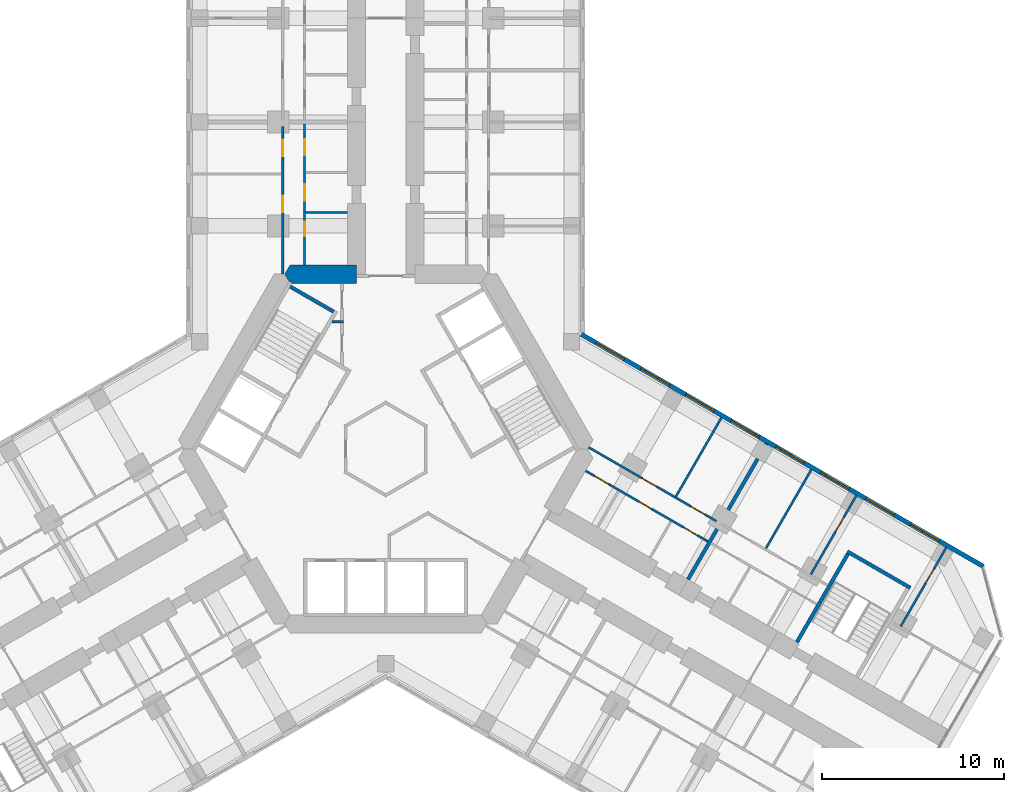
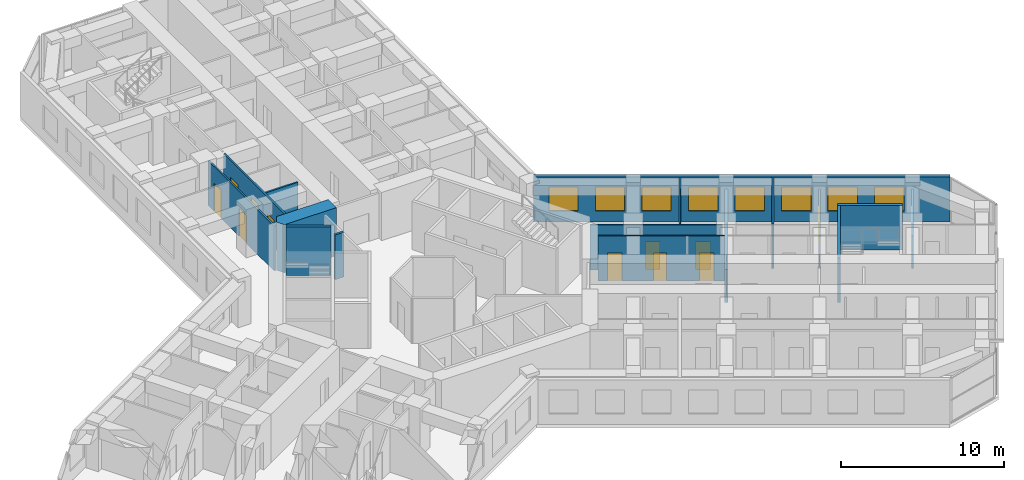
# One storey, part 16 of 21: 16 walls, 12 doors, 8 windows, 20 openings.
"""IFC4 building model written with IfcOpenShell, lengths in metres."""

from ifc_helpers import new_model, si_unit, direction, frame, frame_2d, origin, place, context, subcontext, project, spatial, polyline, rectangle, outline, extrude, material, layer, layer_set, type_object, element, fill, save


model = new_model("IFC4")

# Units and contexts
model_context = context("Model", 3, precision=1e-05, world=origin(), true_north=direction((0.0, 1.0)))
body_context = subcontext(model_context, "Body", "Model", "MODEL_VIEW")
ifc_project = project(units=[si_unit("LENGTHUNIT", "METRE"), si_unit("AREAUNIT", "SQUARE_METRE"), si_unit("VOLUMEUNIT", "CUBIC_METRE"), si_unit("PLANEANGLEUNIT", "RADIAN"), si_unit("MASSUNIT", "GRAM", prefix="KILO")], contexts=[model_context])

# Site, building, storey
site_placement = place(None, origin())
site = spatial("IfcSite", under=ifc_project, at=site_placement, CompositionType="ELEMENT")
building_placement = place(site_placement, origin())
building = spatial("IfcBuilding", under=site, at=building_placement, Name="Kosmar Iwan School Tower", CompositionType="ELEMENT")
storey_placement = place(building_placement, frame((0.0, 0.0, 88.0)))
storey = spatial("IfcBuildingStorey", under=building, at=storey_placement, Name="L21", CompositionType="ELEMENT", Elevation=88.0)

# Walls
ifc_material_1 = material(Name="Gypsum board on steel studs, fire-rated", Category="steel")
ifc_layer_1 = layer(ifc_material_1, 0.14990234375)
ifc_layer_set_1 = layer_set([ifc_layer_1], Name="Core room partition 150")
wall_type_1 = type_object("IfcWallType", Name="Core room partition 150", PredefinedType="PARTITIONING", material=ifc_layer_set_1)
wall_1_placement = place(storey_placement, frame((-2.324951171875, 6.985107421875, 0.0), z_axis=(0.0, 0.0, 1.0), x_axis=(-1.0, 0.0, 0.0)))
element("IfcWall", 1, at=wall_1_placement, inside=storey, type_object=wall_type_1, Name="Core room partition L21-CW2", PredefinedType="PARTITIONING", context=body_context, shape_type="SweptSolid", body=[
    extrude(rectangle(XDim=0.623779296875, YDim=0.14990234375, at=frame_2d((0.31201171875, 0.0))), origin(), (0.0, 0.0, 1.0), 3.35009765625),
])
ifc_material_2 = material(Name="Concrete C50/60", Category="concrete")
ifc_layer_2 = layer(ifc_material_2, 1.0)
ifc_layer_set_2 = layer_set([ifc_layer_2], Name="Core wall 1000")
wall_type_2 = type_object("IfcWallType", Name="Core wall 1000", PredefinedType="SHEAR", material=ifc_layer_set_2)
wall_2_placement = place(storey_placement, origin())
element("IfcWall", 2, at=wall_2_placement, inside=storey, type_object=wall_type_2, Name="Core wall F090b", PredefinedType="SHEAR", context=body_context, shape_type="SweptSolid", body=[
    extrude(outline(polyline([(-5.25390625, 9.10009765625), (-1.60009765625, 9.10009765625), (-1.60009765625, 10.10009765625), (-5.25390625, 10.10009765625), (-5.54248046875, 9.60009765625), (-5.25390625, 9.10009765625)])), origin(), (0.0, 0.0, 1.0), 3.60009765625),
])

# Wall, openings, doors
ifc_material_3 = material(Name="Gypsum board on steel studs", Category="steel")
ifc_layer_3 = layer(ifc_material_3, 0.1201171875)
ifc_layer_set_3 = layer_set([ifc_layer_3], Name="Dwelling partition 120")
wall_type_3 = type_object("IfcWallType", Name="Dwelling partition 120", PredefinedType="PARTITIONING", material=ifc_layer_set_3)
wall_3_placement = place(storey_placement, frame((-4.449951171875, 10.10009765625, 0.0), z_axis=(0.0, 0.0, 1.0), x_axis=(0.0, 1.0, 0.0)))
wall_3 = element("IfcWall", 3, at=wall_3_placement, inside=storey, type_object=wall_type_3, Name="Partition L21-AL1-W1", PredefinedType="PARTITIONING", context=body_context, shape_type="SweptSolid", body=[
    extrude(rectangle(XDim=7.75, YDim=0.1201171875, at=frame_2d((3.875, 0.0))), origin(), (0.0, 0.0, 1.0), 3.35009765625),
])
opening_1_placement = place(wall_3_placement, frame((1.590087890625, 0.0, 0.0)))
opening_1 = element("IfcOpeningElement", 4, at=opening_1_placement, cuts=wall_3, Name="Opening D3", PredefinedType="OPENING", context=body_context, shape_type="SweptSolid", body=[
    extrude(rectangle(XDim=0.800048828125, YDim=2.10009765625, at=frame_2d((0.39990234375, 1.050048828125))), frame((0.0, 0.072021484375, 0.0), z_axis=(0.0, -1.0, 0.0), x_axis=(1.0, 0.0, 0.0)), (0.0, 0.0, 1.0), 0.14404296875),
])
opening_2_placement = place(wall_3_placement, frame((3.530029296875, 0.0, 0.0)))
opening_2 = element("IfcOpeningElement", 5, at=opening_2_placement, cuts=wall_3, Name="Opening D2", PredefinedType="OPENING", context=body_context, shape_type="SweptSolid", body=[
    extrude(rectangle(XDim=0.89990234375, YDim=2.10009765625, at=frame_2d((0.449951171875, 1.050048828125))), frame((0.0, 0.072021484375, 0.0), z_axis=(0.0, -1.0, 0.0), x_axis=(1.0, 0.0, 0.0)), (0.0, 0.0, 1.0), 0.14404296875),
])
opening_3_placement = place(wall_3_placement, frame((6.014892578125, 0.0, 0.0)))
opening_3 = element("IfcOpeningElement", 6, at=opening_3_placement, cuts=wall_3, Name="Opening D2", PredefinedType="OPENING", context=body_context, shape_type="SweptSolid", body=[
    extrude(rectangle(XDim=0.89990234375, YDim=2.10009765625, at=frame_2d((0.449951171875, 1.050048828125))), frame((0.0, 0.072021484375, 0.0), z_axis=(0.0, -1.0, 0.0), x_axis=(1.0, 0.0, 0.0)), (0.0, 0.0, 1.0), 0.14404296875),
])
ifc_material_4 = material(Name="Timber door in timber frame", Category="wood")
door_type_1 = type_object("IfcDoorType", Name="Internal door 900x2100", OperationType="SINGLE_SWING_LEFT", PredefinedType="DOOR", material=ifc_material_4)
door_1_placement = place(opening_2_placement, origin())
door_1 = element("IfcDoor", 7, at=door_1_placement, inside=storey, type_object=door_type_1, Name="Entrance hall door L21-AL1-S2", OperationType="SINGLE_SWING_RIGHT", OverallHeight=2.10009765625, OverallWidth=0.89990234375, PredefinedType="DOOR", context=body_context, shape_type="SweptSolid", body=[
    extrude(rectangle(XDim=0.89990234375, YDim=2.10009765625, at=frame_2d((0.449951171875, 1.050048828125))), frame((0.0, 0.02490234375, 0.0), z_axis=(0.0, -1.0, 0.0), x_axis=(1.0, 0.0, 0.0)), (0.0, 0.0, 1.0), 0.050048828125),
])
fill(opening_2, door_1)
door_2_placement = place(opening_3_placement, origin())
door_2 = element("IfcDoor", 8, at=door_2_placement, inside=storey, type_object=door_type_1, Name="Pantry door L21-AL1-S3", OperationType="SINGLE_SWING_RIGHT", OverallHeight=2.10009765625, OverallWidth=0.89990234375, PredefinedType="DOOR", context=body_context, shape_type="SweptSolid", body=[
    extrude(rectangle(XDim=0.89990234375, YDim=2.10009765625, at=frame_2d((0.449951171875, 1.050048828125))), frame((0.0, 0.02490234375, 0.0), z_axis=(0.0, -1.0, 0.0), x_axis=(1.0, 0.0, 0.0)), (0.0, 0.0, 1.0), 0.050048828125),
])
fill(opening_3, door_2)
ifc_material_5 = material(Name="Timber door in timber frame", Category="wood")
door_type_2 = type_object("IfcDoorType", Name="Sanitary room door 800x2100", OperationType="SINGLE_SWING_LEFT", PredefinedType="DOOR", material=ifc_material_5)
door_3_placement = place(opening_1_placement, origin())
door_3 = element("IfcDoor", 9, at=door_3_placement, inside=storey, type_object=door_type_2, Name="Bathroom door L21-AL1-S1", OperationType="SINGLE_SWING_LEFT", OverallHeight=2.10009765625, OverallWidth=0.800048828125, PredefinedType="DOOR", context=body_context, shape_type="SweptSolid", body=[
    extrude(rectangle(XDim=0.800048828125, YDim=2.10009765625, at=frame_2d((0.39990234375, 1.050048828125))), frame((0.0, 0.02490234375, 0.0), z_axis=(0.0, -1.0, 0.0), x_axis=(1.0, 0.0, 0.0)), (0.0, 0.0, 1.0), 0.050048828125),
])
fill(opening_1, door_3)

wall_4_placement = place(storey_placement, frame((-5.64990234375, 9.60009765625, 0.0), z_axis=(0.0, 0.0, 1.0), x_axis=(0.0, 1.0, 0.0)))
wall_4 = element("IfcWall", 10, at=wall_4_placement, inside=storey, type_object=wall_type_3, Name="Partition L21-AL1-W2", PredefinedType="PARTITIONING", context=body_context, shape_type="SweptSolid", body=[
    extrude(rectangle(XDim=8.099853515625, YDim=0.1201171875, at=frame_2d((4.0498046875, 0.0))), origin(), (0.0, 0.0, 1.0), 3.35009765625),
])
opening_4_placement = place(wall_4_placement, frame((3.39990234375, 0.0, 0.0)))
opening_4 = element("IfcOpeningElement", 11, at=opening_4_placement, cuts=wall_4, Name="Opening D2", PredefinedType="OPENING", context=body_context, shape_type="SweptSolid", body=[
    extrude(rectangle(XDim=0.89990234375, YDim=2.10009765625, at=frame_2d((0.449951171875, 1.050048828125))), frame((0.0, 0.072021484375, 0.0), z_axis=(0.0, -1.0, 0.0), x_axis=(1.0, 0.0, 0.0)), (0.0, 0.0, 1.0), 0.14404296875),
])
opening_5_placement = place(wall_4_placement, frame((6.47509765625, 0.0, 0.0)))
opening_5 = element("IfcOpeningElement", 12, at=opening_5_placement, cuts=wall_4, Name="Opening D2", PredefinedType="OPENING", context=body_context, shape_type="SweptSolid", body=[
    extrude(rectangle(XDim=0.89990234375, YDim=2.10009765625, at=frame_2d((0.449951171875, 1.050048828125))), frame((0.0, 0.072021484375, 0.0), z_axis=(0.0, -1.0, 0.0), x_axis=(1.0, 0.0, 0.0)), (0.0, 0.0, 1.0), 0.14404296875),
])
door_4_placement = place(opening_4_placement, origin())
door_4 = element("IfcDoor", 13, at=door_4_placement, inside=storey, type_object=door_type_1, Name="Living room and kitchen door L21-AL1-F1", OperationType="SINGLE_SWING_RIGHT", OverallHeight=2.10009765625, OverallWidth=0.89990234375, PredefinedType="DOOR", context=body_context, shape_type="SweptSolid", body=[
    extrude(rectangle(XDim=0.89990234375, YDim=2.10009765625, at=frame_2d((0.449951171875, 1.050048828125))), frame((0.0, 0.02490234375, 0.0), z_axis=(0.0, -1.0, 0.0), x_axis=(1.0, 0.0, 0.0)), (0.0, 0.0, 1.0), 0.050048828125),
])
fill(opening_4, door_4)
door_5_placement = place(opening_5_placement, origin())
door_5 = element("IfcDoor", 14, at=door_5_placement, inside=storey, type_object=door_type_1, Name="Bedroom 1 door L21-AL1-F2", OperationType="SINGLE_SWING_RIGHT", OverallHeight=2.10009765625, OverallWidth=0.89990234375, PredefinedType="DOOR", context=body_context, shape_type="SweptSolid", body=[
    extrude(rectangle(XDim=0.89990234375, YDim=2.10009765625, at=frame_2d((0.449951171875, 1.050048828125))), frame((0.0, 0.02490234375, 0.0), z_axis=(0.0, -1.0, 0.0), x_axis=(1.0, 0.0, 0.0)), (0.0, 0.0, 1.0), 0.050048828125),
])
fill(opening_5, door_5)

# Wall
wall_5_placement = place(storey_placement, frame((-2.10009765625, 12.97998046875, 0.0), z_axis=(0.0, 0.0, 1.0), x_axis=(-1.0, 0.0, 0.0)))
element("IfcWall", 15, at=wall_5_placement, inside=storey, type_object=wall_type_3, Name="Partition L21-AL1-Y1", PredefinedType="PARTITIONING", context=body_context, shape_type="SweptSolid", body=[
    extrude(rectangle(XDim=2.289794921875, YDim=0.1201171875, at=frame_2d((1.14501953125, 0.0))), origin(), (0.0, 0.0, 1.0), 3.35009765625),
])

# Wall, openings, doors
wall_6_placement = place(storey_placement, frame((10.971923828125, -1.1962890625, 0.0), z_axis=(0.0, 0.0, 1.0), x_axis=(0.866024534185, -0.500001506187, 0.0)))
wall_6 = element("IfcWall", 16, at=wall_6_placement, inside=storey, type_object=wall_type_3, Name="Partition L21-CL1-W1", PredefinedType="PARTITIONING", context=body_context, shape_type="SweptSolid", body=[
    extrude(rectangle(XDim=7.75, YDim=0.1201171875, at=frame_2d((3.875, 0.0))), origin(), (0.0, 0.0, 1.0), 3.35009765625),
])
opening_6_placement = place(wall_6_placement, frame((0.56005859375, 0.0, 0.0)))
opening_6 = element("IfcOpeningElement", 17, at=opening_6_placement, cuts=wall_6, Name="Opening D2", PredefinedType="OPENING", context=body_context, shape_type="SweptSolid", body=[
    extrude(rectangle(XDim=0.89990234375, YDim=2.10009765625, at=frame_2d((0.449951171875, 1.050048828125))), frame((0.0, 0.072021484375, 0.0), z_axis=(0.0, -1.0, 0.0), x_axis=(1.0, 0.0, 0.0)), (0.0, 0.0, 1.0), 0.14404296875),
])
opening_7_placement = place(wall_6_placement, frame((3.385009765625, 0.0, 0.0)))
opening_7 = element("IfcOpeningElement", 18, at=opening_7_placement, cuts=wall_6, Name="Opening D3", PredefinedType="OPENING", context=body_context, shape_type="SweptSolid", body=[
    extrude(rectangle(XDim=0.800048828125, YDim=2.10009765625, at=frame_2d((0.39990234375, 1.050048828125))), frame((0.0, 0.072021484375, 0.0), z_axis=(0.0, -1.0, 0.0), x_axis=(1.0, 0.0, 0.0)), (0.0, 0.0, 1.0), 0.14404296875),
])
opening_8_placement = place(wall_6_placement, frame((6.199951171875, 0.0, 0.0)))
opening_8 = element("IfcOpeningElement", 19, at=opening_8_placement, cuts=wall_6, Name="Opening D2", PredefinedType="OPENING", context=body_context, shape_type="SweptSolid", body=[
    extrude(rectangle(XDim=0.89990234375, YDim=2.10009765625, at=frame_2d((0.449951171875, 1.050048828125))), frame((0.0, 0.072021484375, 0.0), z_axis=(0.0, -1.0, 0.0), x_axis=(1.0, 0.0, 0.0)), (0.0, 0.0, 1.0), 0.14404296875),
])
door_6_placement = place(opening_6_placement, origin())
door_6 = element("IfcDoor", 20, at=door_6_placement, inside=storey, type_object=door_type_1, Name="Pantry door L21-CL1-S1", OperationType="SINGLE_SWING_LEFT", OverallHeight=2.10009765625, OverallWidth=0.89990234375, PredefinedType="DOOR", context=body_context, shape_type="SweptSolid", body=[
    extrude(rectangle(XDim=0.89990234375, YDim=2.10009765625, at=frame_2d((0.449951171875, 1.050048828125))), frame((0.0, 0.02490234375, 0.0), z_axis=(0.0, -1.0, 0.0), x_axis=(1.0, 0.0, 0.0)), (0.0, 0.0, 1.0), 0.050048828125),
])
fill(opening_6, door_6)
door_7_placement = place(opening_8_placement, origin())
door_7 = element("IfcDoor", 21, at=door_7_placement, inside=storey, type_object=door_type_1, Name="Entrance hall door L21-CL1-S3", OperationType="SINGLE_SWING_RIGHT", OverallHeight=2.10009765625, OverallWidth=0.89990234375, PredefinedType="DOOR", context=body_context, shape_type="SweptSolid", body=[
    extrude(rectangle(XDim=0.89990234375, YDim=2.10009765625, at=frame_2d((0.449951171875, 1.050048828125))), frame((0.0, 0.02490234375, 0.0), z_axis=(0.0, -1.0, 0.0), x_axis=(1.0, 0.0, 0.0)), (0.0, 0.0, 1.0), 0.050048828125),
])
fill(opening_8, door_7)
door_8_placement = place(opening_7_placement, origin())
door_8 = element("IfcDoor", 22, at=door_8_placement, inside=storey, type_object=door_type_2, Name="Bathroom door L21-CL1-S2", OperationType="SINGLE_SWING_LEFT", OverallHeight=2.10009765625, OverallWidth=0.800048828125, PredefinedType="DOOR", context=body_context, shape_type="SweptSolid", body=[
    extrude(rectangle(XDim=0.800048828125, YDim=2.10009765625, at=frame_2d((0.39990234375, 1.050048828125))), frame((0.0, 0.02490234375, 0.0), z_axis=(0.0, -1.0, 0.0), x_axis=(1.0, 0.0, 0.0)), (0.0, 0.0, 1.0), 0.050048828125),
])
fill(opening_7, door_8)

wall_7_placement = place(storey_placement, frame((11.138916015625, 0.093017578125, 0.0), z_axis=(0.0, 0.0, 1.0), x_axis=(0.866017937352, -0.500012932018, 0.0)))
wall_7 = element("IfcWall", 23, at=wall_7_placement, inside=storey, type_object=wall_type_3, Name="Partition L21-CL1-W2", PredefinedType="PARTITIONING", context=body_context, shape_type="SweptSolid", body=[
    extrude(rectangle(XDim=8.099853515625, YDim=0.1201171875, at=frame_2d((4.0498046875, 0.0))), origin(), (0.0, 0.0, 1.0), 3.35009765625),
])
opening_9_placement = place(wall_7_placement, frame((3.39990234375, 0.0, 0.0)))
opening_9 = element("IfcOpeningElement", 24, at=opening_9_placement, cuts=wall_7, Name="Opening D2", PredefinedType="OPENING", context=body_context, shape_type="SweptSolid", body=[
    extrude(rectangle(XDim=0.89990234375, YDim=2.10009765625, at=frame_2d((0.449951171875, 1.050048828125))), frame((0.0, 0.072021484375, 0.0), z_axis=(0.0, -1.0, 0.0), x_axis=(1.0, 0.0, 0.0)), (0.0, 0.0, 1.0), 0.14404296875),
])
opening_10_placement = place(wall_7_placement, frame((6.47509765625, 0.0, 0.0)))
opening_10 = element("IfcOpeningElement", 25, at=opening_10_placement, cuts=wall_7, Name="Opening D2", PredefinedType="OPENING", context=body_context, shape_type="SweptSolid", body=[
    extrude(rectangle(XDim=0.89990234375, YDim=2.10009765625, at=frame_2d((0.449951171875, 1.050048828125))), frame((0.0, 0.072021484375, 0.0), z_axis=(0.0, -1.0, 0.0), x_axis=(1.0, 0.0, 0.0)), (0.0, 0.0, 1.0), 0.14404296875),
])
door_9_placement = place(opening_9_placement, origin())
door_9 = element("IfcDoor", 26, at=door_9_placement, inside=storey, type_object=door_type_1, Name="Living room and kitchen door L21-CL1-F1", OperationType="SINGLE_SWING_RIGHT", OverallHeight=2.10009765625, OverallWidth=0.89990234375, PredefinedType="DOOR", context=body_context, shape_type="SweptSolid", body=[
    extrude(rectangle(XDim=0.89990234375, YDim=2.10009765625, at=frame_2d((0.449951171875, 1.050048828125))), frame((0.0, 0.02490234375, 0.0), z_axis=(0.0, -1.0, 0.0), x_axis=(1.0, 0.0, 0.0)), (0.0, 0.0, 1.0), 0.050048828125),
])
fill(opening_9, door_9)
door_10_placement = place(opening_10_placement, origin())
door_10 = element("IfcDoor", 27, at=door_10_placement, inside=storey, type_object=door_type_1, Name="Bedroom 1 door L21-CL1-F2", OperationType="SINGLE_SWING_RIGHT", OverallHeight=2.10009765625, OverallWidth=0.89990234375, PredefinedType="DOOR", context=body_context, shape_type="SweptSolid", body=[
    extrude(rectangle(XDim=0.89990234375, YDim=2.10009765625, at=frame_2d((0.449951171875, 1.050048828125))), frame((0.0, 0.02490234375, 0.0), z_axis=(0.0, -1.0, 0.0), x_axis=(1.0, 0.0, 0.0)), (0.0, 0.0, 1.0), 0.050048828125),
])
fill(opening_10, door_10)

# Walls
wall_8_placement = place(storey_placement, frame((15.931884765625, -2.60498046875, 0.0), z_axis=(0.0, 0.0, 1.0), x_axis=(0.500011847778, 0.866018563358, 0.0)))
element("IfcWall", 28, at=wall_8_placement, inside=storey, type_object=wall_type_3, Name="Partition L21-CL1-X1", PredefinedType="PARTITIONING", context=body_context, shape_type="SweptSolid", body=[
    extrude(rectangle(XDim=4.990234375, YDim=0.1201171875, at=frame_2d((2.4951171875, 0.0))), origin(), (0.0, 0.0, 1.0), 3.35009765625),
])
wall_9_placement = place(storey_placement, frame((20.868408203125, -5.455078125, 0.0), z_axis=(0.0, 0.0, 1.0), x_axis=(0.499975153383, 0.86603974851, 0.0)))
element("IfcWall", 29, at=wall_9_placement, inside=storey, type_object=wall_type_3, Name="Partition L21-CL2-X1", PredefinedType="PARTITIONING", context=body_context, shape_type="SweptSolid", body=[
    extrude(rectangle(XDim=4.989990234375, YDim=0.1201171875, at=frame_2d((2.4951171875, 0.0))), origin(), (0.0, 0.0, 1.0), 3.35009765625),
])

# Wall, opening, door
wall_10_placement = place(storey_placement, frame((23.33642578125, -6.8798828125, 0.0), z_axis=(0.0, 0.0, 1.0), x_axis=(0.500033033937, 0.866006330792, 0.0)))
wall_10 = element("IfcWall", 30, at=wall_10_placement, inside=storey, type_object=wall_type_3, Name="Partition L21-CL2-TB", PredefinedType="PARTITIONING", context=body_context, shape_type="SweptSolid", body=[
    extrude(rectangle(XDim=4.989990234375, YDim=0.1201171875, at=frame_2d((2.4951171875, 0.0))), origin(), (0.0, 0.0, 1.0), 2.449951171875),
])
opening_11_placement = place(wall_10_placement, frame((2.739990234375, 0.0, 0.0)))
opening_11 = element("IfcOpeningElement", 31, at=opening_11_placement, cuts=wall_10, Name="Opening D2", PredefinedType="OPENING", context=body_context, shape_type="SweptSolid", body=[
    extrude(rectangle(XDim=0.89990234375, YDim=2.10009765625, at=frame_2d((0.449951171875, 1.050048828125))), frame((0.0, 0.072021484375, 0.0), z_axis=(0.0, -1.0, 0.0), x_axis=(1.0, 0.0, 0.0)), (0.0, 0.0, 1.0), 0.14404296875),
])
door_11_placement = place(opening_11_placement, origin())
door_11 = element("IfcDoor", 32, at=door_11_placement, inside=storey, type_object=door_type_1, Name="Study door L21-CL2-F2", OperationType="SINGLE_SWING_RIGHT", OverallHeight=2.10009765625, OverallWidth=0.89990234375, PredefinedType="DOOR", context=body_context, shape_type="SweptSolid", body=[
    extrude(rectangle(XDim=0.89990234375, YDim=2.10009765625, at=frame_2d((0.449951171875, 1.050048828125))), frame((0.0, 0.02490234375, 0.0), z_axis=(0.0, -1.0, 0.0), x_axis=(1.0, 0.0, 0.0)), (0.0, 0.0, 1.0), 0.050048828125),
])
fill(opening_11, door_11)

wall_11_placement = place(storey_placement, frame((28.27294921875, -9.72998046875, 0.0), z_axis=(0.0, 0.0, 1.0), x_axis=(0.499975153383, 0.86603974851, 0.0)))
wall_11 = element("IfcWall", 33, at=wall_11_placement, inside=storey, type_object=wall_type_3, Name="Partition L21-CL2-TX", PredefinedType="PARTITIONING", context=body_context, shape_type="SweptSolid", body=[
    extrude(rectangle(XDim=4.989990234375, YDim=0.1201171875, at=frame_2d((2.4951171875, 0.0))), origin(), (0.0, 0.0, 1.0), 2.449951171875),
])
opening_12_placement = place(wall_11_placement, frame((2.739990234375, 0.0, 0.0)))
opening_12 = element("IfcOpeningElement", 34, at=opening_12_placement, cuts=wall_11, Name="Opening D2", PredefinedType="OPENING", context=body_context, shape_type="SweptSolid", body=[
    extrude(rectangle(XDim=0.89990234375, YDim=2.10009765625, at=frame_2d((0.449951171875, 1.050048828125))), frame((0.0, 0.072021484375, 0.0), z_axis=(0.0, -1.0, 0.0), x_axis=(1.0, 0.0, 0.0)), (0.0, 0.0, 1.0), 0.14404296875),
])
door_12_placement = place(opening_12_placement, origin())
door_12 = element("IfcDoor", 35, at=door_12_placement, inside=storey, type_object=door_type_1, Name="Study door L21-CL2-T1", OperationType="SINGLE_SWING_RIGHT", OverallHeight=2.10009765625, OverallWidth=0.89990234375, PredefinedType="DOOR", context=body_context, shape_type="SweptSolid", body=[
    extrude(rectangle(XDim=0.89990234375, YDim=2.10009765625, at=frame_2d((0.449951171875, 1.050048828125))), frame((0.0, 0.02490234375, 0.0), z_axis=(0.0, -1.0, 0.0), x_axis=(1.0, 0.0, 0.0)), (0.0, 0.0, 1.0), 0.050048828125),
])
fill(opening_12, door_12)

# Walls
ifc_material_6 = material(Name="Concrete C35/45", Category="concrete")
ifc_layer_4 = layer(ifc_material_6, 0.199951171875)
ifc_layer_set_4 = layer_set([ifc_layer_4], Name="Escape stair wall 200")
wall_type_4 = type_object("IfcWallType", Name="Escape stair wall 200", PredefinedType="SHEAR", material=ifc_layer_set_4)
wall_12_placement = place(storey_placement, frame((22.57080078125, -10.6064453125, 0.0), z_axis=(0.0, 0.0, 1.0), x_axis=(0.499987231761, 0.866032775405, 0.0)))
element("IfcWall", 36, at=wall_12_placement, inside=storey, type_object=wall_type_4, Name="Stair WS3 wall", PredefinedType="SHEAR", context=body_context, shape_type="SweptSolid", body=[
    extrude(rectangle(XDim=5.800048828125, YDim=0.199951171875, at=frame_2d((2.89990234375, 0.0))), origin(), (0.0, 0.0, 1.0), 3.330078125),
])
wall_13_placement = place(storey_placement, frame((25.334228515625, -5.6201171875, 0.0), z_axis=(0.0, 0.0, 1.0), x_axis=(0.866026010844, -0.49999894854, 0.0)))
element("IfcWall", 37, at=wall_13_placement, inside=storey, type_object=wall_type_4, Name="Stair WS3 wall", PredefinedType="SHEAR", context=body_context, shape_type="SweptSolid", body=[
    extrude(rectangle(XDim=4.0, YDim=0.199951171875, at=frame_2d((2.0, 0.0))), origin(), (0.0, 0.0, 1.0), 3.330078125),
])

# Wall, openings, windows
ifc_material_7 = material(Name="Black aluminium rainscreen on insulated framing", Category="aluminium")
ifc_layer_5 = layer(ifc_material_7, 0.25)
ifc_layer_set_5 = layer_set([ifc_layer_5], Name="External wall rainscreen 250")
wall_type_5 = type_object("IfcWallType", Name="External wall rainscreen 250", PredefinedType="SOLIDWALL", material=ifc_layer_set_5)
wall_14_placement = place(storey_placement, frame((10.73681640625, 6.30078125, 0.0), z_axis=(0.0, 0.0, 1.0), x_axis=(0.866026390279, -0.499998291337, 0.0)))
wall_14 = element("IfcWall", 38, at=wall_14_placement, inside=storey, type_object=wall_type_5, Name="External wall CL L21", PredefinedType="SOLIDWALL", context=body_context, shape_type="SweptSolid", body=[
    extrude(rectangle(XDim=25.4873046875, YDim=0.25, at=frame_2d((12.74365234375, 0.0))), origin(), (0.0, 0.0, 1.0), 3.35009765625),
])
opening_13_placement = place(wall_14_placement, frame((0.927001953125, 0.0, 0.800048828125)))
opening_13 = element("IfcOpeningElement", 39, at=opening_13_placement, cuts=wall_14, Name="Opening W1", PredefinedType="OPENING", context=body_context, shape_type="SweptSolid", body=[
    extrude(rectangle(XDim=1.800048828125, YDim=1.800048828125, at=frame_2d((0.89990234375, 0.89990234375))), frame((0.0, 0.136962890625, 0.0), z_axis=(0.0, -1.0, 0.0), x_axis=(1.0, 0.0, 0.0)), (0.0, 0.0, 1.0), 0.27392578125),
])
opening_14_placement = place(wall_14_placement, frame((3.777099609375, 0.0, 0.800048828125)))
opening_14 = element("IfcOpeningElement", 40, at=opening_14_placement, cuts=wall_14, Name="Opening W1", PredefinedType="OPENING", context=body_context, shape_type="SweptSolid", body=[
    extrude(rectangle(XDim=1.800048828125, YDim=1.800048828125, at=frame_2d((0.89990234375, 0.89990234375))), frame((0.0, 0.136962890625, 0.0), z_axis=(0.0, -1.0, 0.0), x_axis=(1.0, 0.0, 0.0)), (0.0, 0.0, 1.0), 0.27392578125),
])
opening_15_placement = place(wall_14_placement, frame((6.626953125, 0.0, 0.800048828125)))
opening_15 = element("IfcOpeningElement", 41, at=opening_15_placement, cuts=wall_14, Name="Opening W1", PredefinedType="OPENING", context=body_context, shape_type="SweptSolid", body=[
    extrude(rectangle(XDim=1.800048828125, YDim=1.800048828125, at=frame_2d((0.89990234375, 0.89990234375))), frame((0.0, 0.136962890625, 0.0), z_axis=(0.0, -1.0, 0.0), x_axis=(1.0, 0.0, 0.0)), (0.0, 0.0, 1.0), 0.27392578125),
])
opening_16_placement = place(wall_14_placement, frame((9.47705078125, 0.0, 0.800048828125)))
opening_16 = element("IfcOpeningElement", 42, at=opening_16_placement, cuts=wall_14, Name="Opening W1", PredefinedType="OPENING", context=body_context, shape_type="SweptSolid", body=[
    extrude(rectangle(XDim=1.800048828125, YDim=1.800048828125, at=frame_2d((0.89990234375, 0.89990234375))), frame((0.0, 0.136962890625, 0.0), z_axis=(0.0, -1.0, 0.0), x_axis=(1.0, 0.0, 0.0)), (0.0, 0.0, 1.0), 0.27392578125),
])
opening_17_placement = place(wall_14_placement, frame((12.326904296875, 0.0, 0.800048828125)))
opening_17 = element("IfcOpeningElement", 43, at=opening_17_placement, cuts=wall_14, Name="Opening W1", PredefinedType="OPENING", context=body_context, shape_type="SweptSolid", body=[
    extrude(rectangle(XDim=1.800048828125, YDim=1.800048828125, at=frame_2d((0.89990234375, 0.89990234375))), frame((0.0, 0.136962890625, 0.0), z_axis=(0.0, -1.0, 0.0), x_axis=(1.0, 0.0, 0.0)), (0.0, 0.0, 1.0), 0.27392578125),
])
opening_18_placement = place(wall_14_placement, frame((15.177001953125, 0.0, 0.800048828125)))
opening_18 = element("IfcOpeningElement", 44, at=opening_18_placement, cuts=wall_14, Name="Opening W1", PredefinedType="OPENING", context=body_context, shape_type="SweptSolid", body=[
    extrude(rectangle(XDim=1.800048828125, YDim=1.800048828125, at=frame_2d((0.89990234375, 0.89990234375))), frame((0.0, 0.136962890625, 0.0), z_axis=(0.0, -1.0, 0.0), x_axis=(1.0, 0.0, 0.0)), (0.0, 0.0, 1.0), 0.27392578125),
])
opening_19_placement = place(wall_14_placement, frame((18.027099609375, 0.0, 0.800048828125)))
opening_19 = element("IfcOpeningElement", 45, at=opening_19_placement, cuts=wall_14, Name="Opening W1", PredefinedType="OPENING", context=body_context, shape_type="SweptSolid", body=[
    extrude(rectangle(XDim=1.800048828125, YDim=1.800048828125, at=frame_2d((0.89990234375, 0.89990234375))), frame((0.0, 0.136962890625, 0.0), z_axis=(0.0, -1.0, 0.0), x_axis=(1.0, 0.0, 0.0)), (0.0, 0.0, 1.0), 0.27392578125),
])
opening_20_placement = place(wall_14_placement, frame((20.876953125, 0.0, 0.800048828125)))
opening_20 = element("IfcOpeningElement", 46, at=opening_20_placement, cuts=wall_14, Name="Opening W1", PredefinedType="OPENING", context=body_context, shape_type="SweptSolid", body=[
    extrude(rectangle(XDim=1.800048828125, YDim=1.800048828125, at=frame_2d((0.89990234375, 0.89990234375))), frame((0.0, 0.136962890625, 0.0), z_axis=(0.0, -1.0, 0.0), x_axis=(1.0, 0.0, 0.0)), (0.0, 0.0, 1.0), 0.27392578125),
])
ifc_material_8 = material(Name="Black aluminium frame with dark triple glazing", Category="aluminium")
window_type = type_object("IfcWindowType", Name="Window 1800x1800", PartitioningType="SINGLE_PANEL", PredefinedType="WINDOW", material=ifc_material_8)
window_1_placement = place(opening_13_placement, origin())
window_1 = element("IfcWindow", 47, at=window_1_placement, inside=storey, type_object=window_type, Name="Window CL L21 -1", OverallHeight=1.800048828125, OverallWidth=1.800048828125, PartitioningType="SINGLE_PANEL", PredefinedType="WINDOW", context=body_context, shape_type="SweptSolid", body=[
    extrude(rectangle(XDim=1.800048828125, YDim=1.800048828125, at=frame_2d((0.89990234375, 0.89990234375))), frame((0.0, 0.030029296875, 0.0), z_axis=(0.0, -1.0, 0.0), x_axis=(1.0, 0.0, 0.0)), (0.0, 0.0, 1.0), 0.06005859375),
])
fill(opening_13, window_1)
window_2_placement = place(opening_14_placement, origin())
window_2 = element("IfcWindow", 48, at=window_2_placement, inside=storey, type_object=window_type, Name="Window CL L21 0", OverallHeight=1.800048828125, OverallWidth=1.800048828125, PartitioningType="SINGLE_PANEL", PredefinedType="WINDOW", context=body_context, shape_type="SweptSolid", body=[
    extrude(rectangle(XDim=1.800048828125, YDim=1.800048828125, at=frame_2d((0.89990234375, 0.89990234375))), frame((0.0, 0.030029296875, 0.0), z_axis=(0.0, -1.0, 0.0), x_axis=(1.0, 0.0, 0.0)), (0.0, 0.0, 1.0), 0.06005859375),
])
fill(opening_14, window_2)
window_3_placement = place(opening_15_placement, origin())
window_3 = element("IfcWindow", 49, at=window_3_placement, inside=storey, type_object=window_type, Name="Window CL L21 1", OverallHeight=1.800048828125, OverallWidth=1.800048828125, PartitioningType="SINGLE_PANEL", PredefinedType="WINDOW", context=body_context, shape_type="SweptSolid", body=[
    extrude(rectangle(XDim=1.800048828125, YDim=1.800048828125, at=frame_2d((0.89990234375, 0.89990234375))), frame((0.0, 0.030029296875, 0.0), z_axis=(0.0, -1.0, 0.0), x_axis=(1.0, 0.0, 0.0)), (0.0, 0.0, 1.0), 0.06005859375),
])
fill(opening_15, window_3)
window_4_placement = place(opening_16_placement, origin())
window_4 = element("IfcWindow", 50, at=window_4_placement, inside=storey, type_object=window_type, Name="Window CL L21 2", OverallHeight=1.800048828125, OverallWidth=1.800048828125, PartitioningType="SINGLE_PANEL", PredefinedType="WINDOW", context=body_context, shape_type="SweptSolid", body=[
    extrude(rectangle(XDim=1.800048828125, YDim=1.800048828125, at=frame_2d((0.89990234375, 0.89990234375))), frame((0.0, 0.030029296875, 0.0), z_axis=(0.0, -1.0, 0.0), x_axis=(1.0, 0.0, 0.0)), (0.0, 0.0, 1.0), 0.06005859375),
])
fill(opening_16, window_4)
window_5_placement = place(opening_17_placement, origin())
window_5 = element("IfcWindow", 51, at=window_5_placement, inside=storey, type_object=window_type, Name="Window CL L21 3", OverallHeight=1.800048828125, OverallWidth=1.800048828125, PartitioningType="SINGLE_PANEL", PredefinedType="WINDOW", context=body_context, shape_type="SweptSolid", body=[
    extrude(rectangle(XDim=1.800048828125, YDim=1.800048828125, at=frame_2d((0.89990234375, 0.89990234375))), frame((0.0, 0.030029296875, 0.0), z_axis=(0.0, -1.0, 0.0), x_axis=(1.0, 0.0, 0.0)), (0.0, 0.0, 1.0), 0.06005859375),
])
fill(opening_17, window_5)
window_6_placement = place(opening_18_placement, origin())
window_6 = element("IfcWindow", 52, at=window_6_placement, inside=storey, type_object=window_type, Name="Window CL L21 4", OverallHeight=1.800048828125, OverallWidth=1.800048828125, PartitioningType="SINGLE_PANEL", PredefinedType="WINDOW", context=body_context, shape_type="SweptSolid", body=[
    extrude(rectangle(XDim=1.800048828125, YDim=1.800048828125, at=frame_2d((0.89990234375, 0.89990234375))), frame((0.0, 0.030029296875, 0.0), z_axis=(0.0, -1.0, 0.0), x_axis=(1.0, 0.0, 0.0)), (0.0, 0.0, 1.0), 0.06005859375),
])
fill(opening_18, window_6)
window_7_placement = place(opening_19_placement, origin())
window_7 = element("IfcWindow", 53, at=window_7_placement, inside=storey, type_object=window_type, Name="Window CL L21 5", OverallHeight=1.800048828125, OverallWidth=1.800048828125, PartitioningType="SINGLE_PANEL", PredefinedType="WINDOW", context=body_context, shape_type="SweptSolid", body=[
    extrude(rectangle(XDim=1.800048828125, YDim=1.800048828125, at=frame_2d((0.89990234375, 0.89990234375))), frame((0.0, 0.030029296875, 0.0), z_axis=(0.0, -1.0, 0.0), x_axis=(1.0, 0.0, 0.0)), (0.0, 0.0, 1.0), 0.06005859375),
])
fill(opening_19, window_7)
window_8_placement = place(opening_20_placement, origin())
window_8 = element("IfcWindow", 54, at=window_8_placement, inside=storey, type_object=window_type, Name="Window CL L21 6", OverallHeight=1.800048828125, OverallWidth=1.800048828125, PartitioningType="SINGLE_PANEL", PredefinedType="WINDOW", context=body_context, shape_type="SweptSolid", body=[
    extrude(rectangle(XDim=1.800048828125, YDim=1.800048828125, at=frame_2d((0.89990234375, 0.89990234375))), frame((0.0, 0.030029296875, 0.0), z_axis=(0.0, -1.0, 0.0), x_axis=(1.0, 0.0, 0.0)), (0.0, 0.0, 1.0), 0.06005859375),
])
fill(opening_20, window_8)

# Walls
ifc_material_9 = material(Name="Concrete block masonry", Category="masonry")
ifc_layer_6 = layer(ifc_material_9, 0.199951171875)
ifc_layer_set_6 = layer_set([ifc_layer_6], Name="Party wall 200")
wall_type_6 = type_object("IfcWallType", Name="Party wall 200", PredefinedType="PARTITIONING", material=ifc_layer_set_6)
wall_15_placement = place(storey_placement, frame((16.59521484375, -7.15625, 0.0), z_axis=(0.0, 0.0, 1.0), x_axis=(0.500007509209, 0.866021068297, 0.0)))
element("IfcWall", 55, at=wall_15_placement, inside=storey, type_object=wall_type_6, Name="Partition L21-CL2-PW", PredefinedType="PARTITIONING", context=body_context, shape_type="SweptSolid", body=[
    extrude(rectangle(XDim=8.599853515625, YDim=0.199951171875, at=frame_2d((4.2998046875, 0.0))), origin(), (0.0, 0.0, 1.0), 2.449951171875),
])
ifc_material_10 = material(Name="Concrete C50/60", Category="concrete")
ifc_layer_7 = layer(ifc_material_10, 0.199951171875)
ifc_layer_set_7 = layer_set([ifc_layer_7], Name="Stair enclosure wall 200")
wall_type_7 = type_object("IfcWallType", Name="Stair enclosure wall 200", PredefinedType="SHEAR", material=ifc_layer_set_7)
wall_16_placement = place(storey_placement, frame((-2.862548828125, 7.541748046875, 0.0), z_axis=(0.0, 0.0, 1.0), x_axis=(-0.866027397988, 0.499996545922, 0.0)))
element("IfcWall", 56, at=wall_16_placement, inside=storey, type_object=wall_type_7, Name="Stair ST2 wall", PredefinedType="SHEAR", context=body_context, shape_type="SweptSolid", body=[
    extrude(rectangle(XDim=2.75, YDim=0.199951171875, at=frame_2d((1.375, 0.0))), origin(), (0.0, 0.0, 1.0), 3.60009765625),
])

save(model, "model.ifc")
